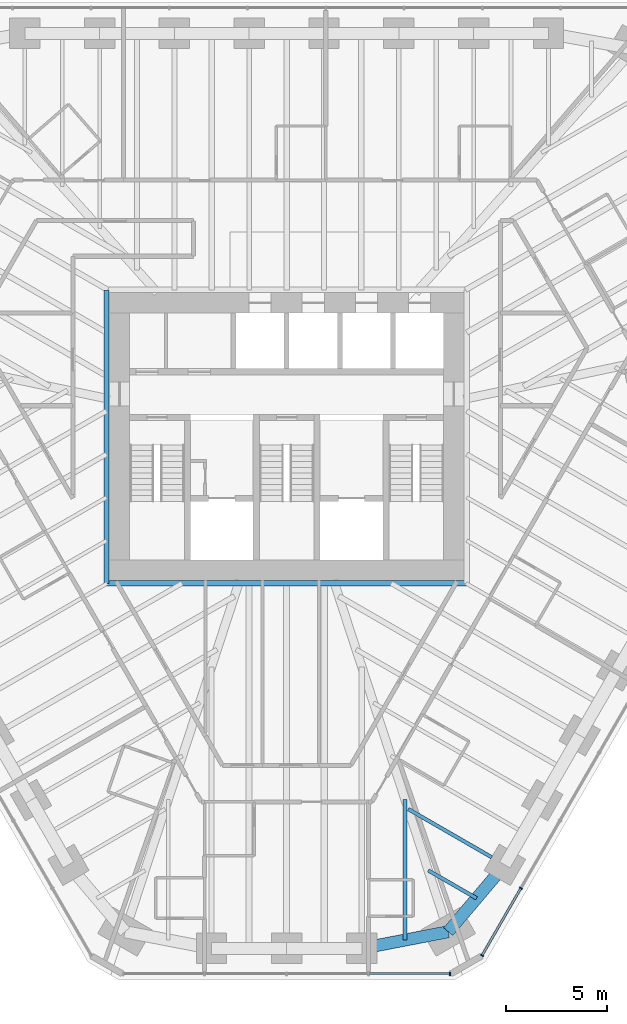
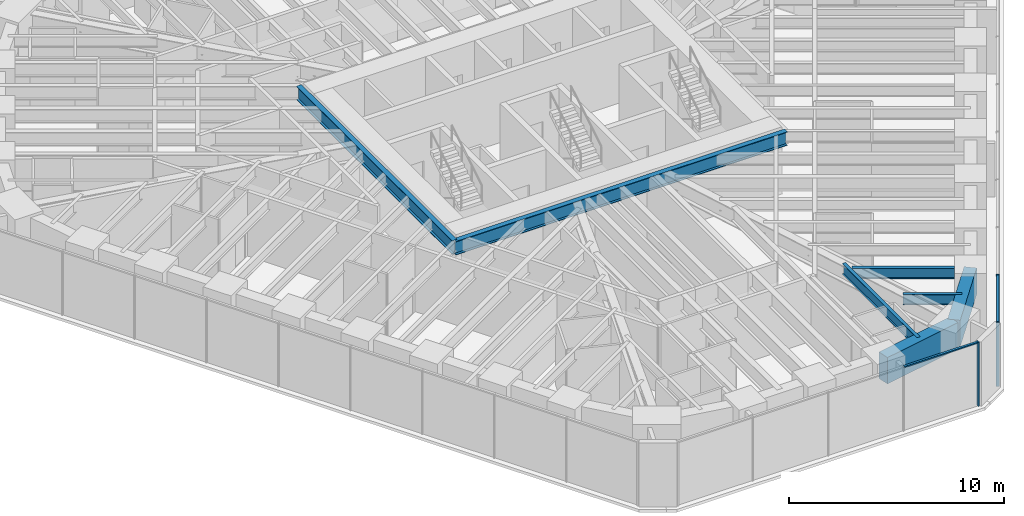
# One storey, part 4 of 16: 7 beams, 5 members, 2 elements without a shape of their own.
"""IFC4 building model written with IfcOpenShell, lengths in metres."""

from ifc_helpers import new_model, si_unit, direction, frame, origin, origin_2d, place, context, subcontext, project, spatial, rectangle, i_section, extrude, material, material_profile, profile_set, type_object, element, aggregate, save


model = new_model("IFC4")

# Units and contexts
model_context = context("Model", 3, precision=1e-05, world=origin(), true_north=direction((0.0, 1.0)))
body_context = subcontext(model_context, "Body", "Model", "MODEL_VIEW")
ifc_project = project(units=[si_unit("LENGTHUNIT", "METRE"), si_unit("AREAUNIT", "SQUARE_METRE"), si_unit("VOLUMEUNIT", "CUBIC_METRE"), si_unit("PLANEANGLEUNIT", "RADIAN"), si_unit("MASSUNIT", "GRAM", prefix="KILO")], contexts=[model_context])

# Site, building, storey
site_placement = place(None, origin())
site = spatial("IfcSite", under=ifc_project, at=site_placement, CompositionType="ELEMENT")
building_placement = place(site_placement, origin())
building = spatial("IfcBuilding", under=site, at=building_placement, Name="Sandreach Pilgrim Tower", CompositionType="ELEMENT")
storey_placement = place(building_placement, frame((0.0, 0.0, 206.0)))
storey = spatial("IfcBuildingStorey", under=building, at=storey_placement, Name="L51", CompositionType="ELEMENT", Elevation=206.0)

# Curtain wall, members
ifc_material_1 = material(Name="Aluminium framed curtain wall", Category="aluminium")
curtain_wall_type = type_object("IfcCurtainWallType", Name="Upper hotel tower curtain wall", PredefinedType="NOTDEFINED", material=ifc_material_1)
curtain_wall_1_placement = place(storey_placement, origin())
curtain_wall_1 = element("IfcCurtainWall", 1, at=curtain_wall_1_placement, inside=storey, type_object=curtain_wall_type, Name="CW-3 L51 SE", PredefinedType="NOTDEFINED")
ifc_material_2 = material(Name="Aluminium extrusion", Category="aluminium")
ifc_material_profile_1 = material_profile(ifc_material_2, rectangle(XDim=0.06494140625, YDim=0.159912109375, at=origin_2d()), Name="CW-3M 65X160")
ifc_profile_set_1 = profile_set([ifc_material_profile_1], Name="Aluminium extrusion")
member_type_1 = type_object("IfcMemberType", Name="CW-3 mullion", PredefinedType="MULLION", material=ifc_profile_set_1)
member_1_placement = place(storey_placement, frame((11.5625, -22.29345703125, 0.0), z_axis=(0.0, 0.0, 1.0), x_axis=(-0.5, -0.866025403784, 0.0)))
member_1 = element("IfcMember", 2, at=member_1_placement, type_object=member_type_1, Name="CW-3 mullion 9", PredefinedType="MULLION", context=body_context, shape_type="SweptSolid", body=[
    extrude(rectangle(XDim=0.06494140625, YDim=0.159912109375, at=origin_2d()), origin(), (0.0, 0.0, 1.0), 3.639892578125),
])
member_2_placement = place(storey_placement, frame((9.646484375, -25.612060546875, 0.0), z_axis=(0.0, 0.0, 1.0), x_axis=(-0.5, -0.866025403784, 0.0)))
member_2 = element("IfcMember", 3, at=member_2_placement, type_object=member_type_1, Name="CW-3 mullion 10", PredefinedType="MULLION", context=body_context, shape_type="SweptSolid", body=[
    extrude(rectangle(XDim=0.06494140625, YDim=0.159912109375, at=origin_2d()), origin(), (0.0, 0.0, 1.0), 3.639892578125),
])

# Curtain wall, member
curtain_wall_2_placement = place(storey_placement, origin())
curtain_wall_2 = element("IfcCurtainWall", 4, at=curtain_wall_2_placement, inside=storey, type_object=curtain_wall_type, Name="CW-3 L51 S", PredefinedType="NOTDEFINED")
member_3_placement = place(storey_placement, frame((8.06494140625, -26.525146484375, 0.0), z_axis=(0.0, 0.0, 1.0), x_axis=(-1.0, 0.0, 0.0)))
member_3 = element("IfcMember", 5, at=member_3_placement, type_object=member_type_1, Name="CW-3 mullion 1", PredefinedType="MULLION", context=body_context, shape_type="SweptSolid", body=[
    extrude(rectangle(XDim=0.06494140625, YDim=0.159912109375, at=origin_2d()), origin(), (0.0, 0.0, 1.0), 3.639892578125),
])

# Member
ifc_material_3 = material(Name="Aluminium extrusion", Category="aluminium")
ifc_material_profile_2 = material_profile(ifc_material_3, rectangle(XDim=0.1201171875, YDim=0.070068359375, at=origin_2d()), Name="CW-3T 120X70")
ifc_profile_set_2 = profile_set([ifc_material_profile_2], Name="Aluminium extrusion")
member_type_2 = type_object("IfcMemberType", Name="CW-3 transom", PredefinedType="USERDEFINED", material=ifc_profile_set_2)
member_4_placement = place(storey_placement, frame((11.546142578125, -22.321533203125, 3.60498046875), z_axis=(-0.499973055223, -0.8660409598, 0.0), x_axis=(0.8660409598, -0.499973055223, 0.0)))
member_4 = element("IfcMember", 6, at=member_4_placement, type_object=member_type_2, Name="CW-3 head transom 9", ObjectType="TRANSOM", PredefinedType="USERDEFINED", context=body_context, shape_type="SweptSolid", body=[
    extrude(rectangle(XDim=0.1201171875, YDim=0.070068359375, at=origin_2d()), origin(), (0.0, 0.0, 1.0), 3.766845703125),
])

aggregate(curtain_wall_1, [member_1, member_2, member_4])

member_5_placement = place(storey_placement, frame((8.032470703125, -26.525146484375, 3.60498046875), z_axis=(-1.0, 0.0, 0.0), x_axis=(0.0, -1.0, 0.0)))
member_5 = element("IfcMember", 7, at=member_5_placement, type_object=member_type_2, Name="CW-3 head transom 1", ObjectType="TRANSOM", PredefinedType="USERDEFINED", context=body_context, shape_type="SweptSolid", body=[
    extrude(rectangle(XDim=0.1201171875, YDim=0.070068359375, at=origin_2d()), origin(), (0.0, 0.0, 1.0), 3.951171875),
])

aggregate(curtain_wall_2, [member_3, member_5])

# Beams
ifc_material_4 = material(Name="Steel ASTM A992 Grade 50", Category="steel")
ifc_material_profile_3 = material_profile(ifc_material_4, i_section(OverallWidth=0.2666015625, OverallDepth=0.77978515625, WebThickness=0.0166015625, FlangeThickness=0.030029296875, at=origin_2d()), Name="W30X148")
ifc_profile_set_3 = profile_set([ifc_material_profile_3], Name="Steel ASTM A992 Grade 50")
beam_type_1 = type_object("IfcBeamType", Name="Core edge beam W30X148", PredefinedType="BEAM", material=ifc_profile_set_3)
beam_1_placement = place(storey_placement, frame((8.893310546875, -7.243408203125, 3.25), z_axis=(-1.0, 0.0, 0.0), x_axis=(0.0, -1.0, 0.0)))
element("IfcBeam", 8, at=beam_1_placement, inside=storey, type_object=beam_type_1, Name="BM L51 CES", PredefinedType="BEAM", context=body_context, shape_type="SweptSolid", body=[
    extrude(i_section(OverallWidth=0.2666015625, OverallDepth=0.77978515625, WebThickness=0.0166015625, FlangeThickness=0.030029296875, at=origin_2d()), origin(), (0.0, 0.0, 1.0), 17.78662109375),
])
beam_2_placement = place(storey_placement, frame((-8.893310546875, -7.243408203125, 3.25), z_axis=(0.0, 1.0, 0.0), x_axis=(-1.0, 0.0, 0.0)))
element("IfcBeam", 9, at=beam_2_placement, inside=storey, type_object=beam_type_1, Name="BM L51 CEW", PredefinedType="BEAM", context=body_context, shape_type="SweptSolid", body=[
    extrude(i_section(OverallWidth=0.2666015625, OverallDepth=0.77978515625, WebThickness=0.0166015625, FlangeThickness=0.030029296875, at=origin_2d()), origin(), (0.0, 0.0, 1.0), 14.48681640625),
])
ifc_material_5 = material(Name="Steel ASTM A992 Grade 50", Category="steel")
ifc_material_profile_4 = material_profile(ifc_material_5, i_section(OverallWidth=0.1787109375, OverallDepth=0.60205078125, WebThickness=0.010986328125, FlangeThickness=0.014892578125, at=origin_2d()), Name="W24X62")
ifc_profile_set_4 = profile_set([ifc_material_profile_4], Name="Steel ASTM A992 Grade 50")
beam_type_2 = type_object("IfcBeamType", Name="Floor beam W24X62", PredefinedType="BEAM", material=ifc_profile_set_4)
beam_3_placement = place(storey_placement, frame((10.12255859375, -20.767333984375, 3.339111328125), z_axis=(-0.86603347311, 0.499986023258, 0.0), x_axis=(-0.499986023258, -0.86603347311, 0.0)))
element("IfcBeam", 10, at=beam_3_placement, inside=storey, type_object=beam_type_2, Name="BM L51 F21", PredefinedType="BEAM", context=body_context, shape_type="SweptSolid", body=[
    extrude(i_section(OverallWidth=0.1787109375, OverallDepth=0.60205078125, WebThickness=0.010986328125, FlangeThickness=0.014892578125, at=origin_2d()), origin(), (0.0, 0.0, 1.0), 4.757568359375),
])
beam_4_placement = place(storey_placement, frame((9.375244140625, -22.7919921875, 3.339111328125), z_axis=(-0.866046803606, 0.49996293259, 0.0), x_axis=(-0.49996293259, -0.866046803606, 0.0)))
element("IfcBeam", 11, at=beam_4_placement, inside=storey, type_object=beam_type_2, Name="BM L51 FM21", PredefinedType="BEAM", context=body_context, shape_type="SweptSolid", body=[
    extrude(i_section(OverallWidth=0.1787109375, OverallDepth=0.60205078125, WebThickness=0.010986328125, FlangeThickness=0.014892578125, at=origin_2d()), origin(), (0.0, 0.0, 1.0), 2.753662109375),
])
beam_5_placement = place(storey_placement, frame((5.844482421875, -24.853515625, 3.339111328125), z_axis=(0.0, 1.0, 0.0), x_axis=(-1.0, 0.0, 0.0)))
element("IfcBeam", 12, at=beam_5_placement, inside=storey, type_object=beam_type_2, Name="BM L51 FM22", PredefinedType="BEAM", context=body_context, shape_type="SweptSolid", body=[
    extrude(i_section(OverallWidth=0.1787109375, OverallDepth=0.60205078125, WebThickness=0.010986328125, FlangeThickness=0.014892578125, at=origin_2d()), origin(), (0.0, 0.0, 1.0), 6.94921875),
])
ifc_material_6 = material(Name="Concrete 10000 psi", Category="concrete")
ifc_material_profile_5 = material_profile(ifc_material_6, rectangle(XDim=0.60009765625, YDim=1.5, at=origin_2d()), Name="RC600X1500")
ifc_profile_set_5 = profile_set([ifc_material_profile_5], Name="Concrete 10000 psi")
beam_type_3 = type_object("IfcBeamType", Name="Spandrel beam RC600X1500", PredefinedType="SPANDREL", material=ifc_profile_set_5)
beam_6_placement = place(storey_placement, frame((10.772216796875, -21.142333984375, 2.889892578125), z_axis=(-0.646180160755, -0.76318490541, 0.0), x_axis=(0.76318490541, -0.646180160755, 0.0)))
element("IfcBeam", 13, at=beam_6_placement, inside=storey, type_object=beam_type_3, Name="BM L51 SP21", PredefinedType="SPANDREL", context=body_context, shape_type="SweptSolid", body=[
    extrude(rectangle(XDim=0.60009765625, YDim=1.5, at=origin_2d()), origin(), (0.0, 0.0, 1.0), 4.323486328125),
])
beam_7_placement = place(storey_placement, frame((7.978515625, -24.44189453125, 2.889892578125), z_axis=(-0.981901333807, -0.18939316426, 0.0), x_axis=(0.18939316426, -0.981901333807, 0.0)))
element("IfcBeam", 14, at=beam_7_placement, inside=storey, type_object=beam_type_3, Name="BM L51 SP22", PredefinedType="SPANDREL", context=body_context, shape_type="SweptSolid", body=[
    extrude(rectangle(XDim=0.60009765625, YDim=1.5, at=origin_2d()), origin(), (0.0, 0.0, 1.0), 4.3466796875),
])

save(model, "model.ifc")
